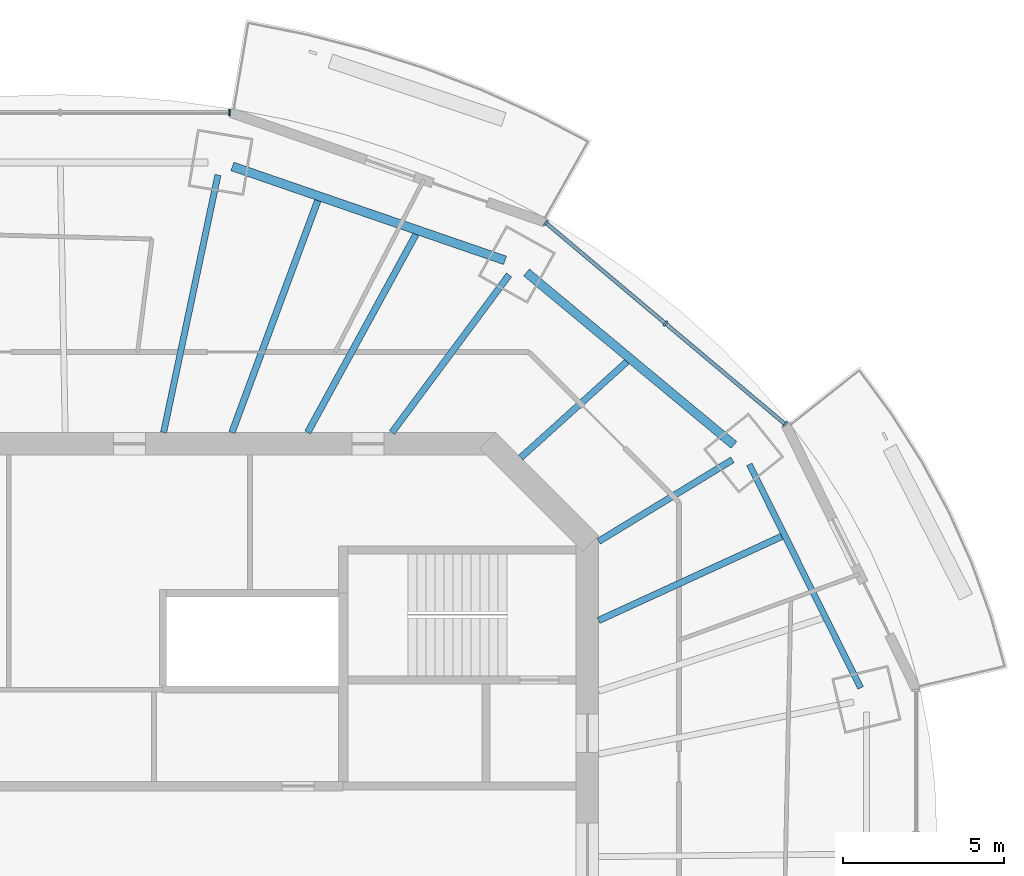
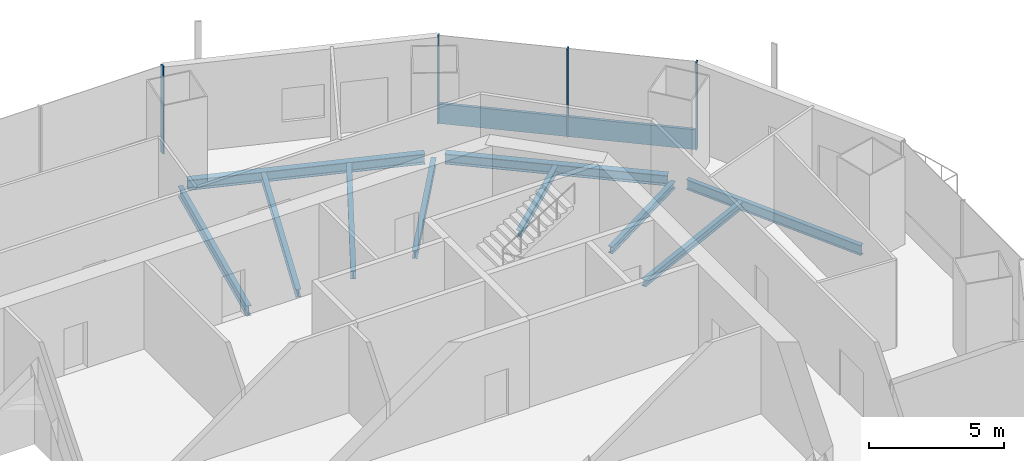
# One storey, part 6 of 16: 10 beams, 5 members, 2 elements without a shape of their own.
"""IFC4 building model written with IfcOpenShell, lengths in metres."""

from ifc_helpers import new_model, si_unit, direction, frame, origin, origin_2d, place, context, subcontext, project, spatial, rectangle, i_section, extrude, material, material_profile, profile_set, type_object, element, aggregate, save


model = new_model("IFC4")

# Units and contexts
model_context = context("Model", 3, precision=1e-05, world=origin(), true_north=direction((0.0, 1.0)))
body_context = subcontext(model_context, "Body", "Model", "MODEL_VIEW")
ifc_project = project(units=[si_unit("LENGTHUNIT", "METRE"), si_unit("AREAUNIT", "SQUARE_METRE"), si_unit("VOLUMEUNIT", "CUBIC_METRE"), si_unit("PLANEANGLEUNIT", "RADIAN"), si_unit("MASSUNIT", "GRAM", prefix="KILO")], contexts=[model_context])

# Site, building, storey
site_placement = place(None, origin())
site = spatial("IfcSite", under=ifc_project, at=site_placement, CompositionType="ELEMENT")
building_placement = place(site_placement, origin())
building = spatial("IfcBuilding", under=site, at=building_placement, Name="Marenthal Gate Tower", CompositionType="ELEMENT")
storey_placement = place(building_placement, frame((0.0, 0.0, 338.449951171875)))
storey = spatial("IfcBuildingStorey", under=building, at=storey_placement, Name="L76", CompositionType="ELEMENT", Elevation=338.449951171875)

# Curtain wall, members
ifc_material_1 = material(Name="Aluminium and glass", Category="aluminium")
curtain_wall_type = type_object("IfcCurtainWallType", Name="Curtain wall typical high", PredefinedType="NOTDEFINED", material=ifc_material_1)
curtain_wall_1_placement = place(storey_placement, origin())
curtain_wall_1 = element("IfcCurtainWall", 1, at=curtain_wall_1_placement, inside=storey, type_object=curtain_wall_type, Name="Curtain wall L76 bay 2", PredefinedType="NOTDEFINED")
ifc_material_2 = material(Name="Aluminium", Category="aluminium")
ifc_material_profile_1 = material_profile(ifc_material_2, rectangle(XDim=0.199951171875, YDim=0.06005859375, at=origin_2d()), Name="60x200 aluminium mullion")
ifc_profile_set_1 = profile_set([ifc_material_profile_1], Name="Aluminium")
member_type_1 = type_object("IfcMemberType", Name="Mullion 60x200 typical high", PredefinedType="MULLION", material=ifc_profile_set_1)
member_1_placement = place(storey_placement, frame((22.150634765625, 13.609619140625, 0.0), z_axis=(0.0, 0.0, 1.0), x_axis=(-0.643800653639, -0.765193255572, 0.0)))
member_1 = element("IfcMember", 2, at=member_1_placement, type_object=member_type_1, Name="Mullion L76 bay 2.1", PredefinedType="MULLION", context=body_context, shape_type="SweptSolid", body=[
    extrude(rectangle(XDim=0.199951171875, YDim=0.06005859375, at=origin_2d()), origin(), (0.0, 0.0, 1.0), 3.969970703125),
])
member_2_placement = place(storey_placement, frame((18.428466796875, 16.7412109375, 0.0), z_axis=(0.0, 0.0, 1.0), x_axis=(-0.643800653639, -0.765193255572, 0.0)))
member_2 = element("IfcMember", 3, at=member_2_placement, type_object=member_type_1, Name="Mullion L76 bay 2.2", PredefinedType="MULLION", context=body_context, shape_type="SweptSolid", body=[
    extrude(rectangle(XDim=0.199951171875, YDim=0.06005859375, at=origin_2d()), origin(), (0.0, 0.0, 1.0), 3.969970703125),
])
member_3_placement = place(storey_placement, frame((14.7060546875, 19.873046875, 0.0), z_axis=(0.0, 0.0, 1.0), x_axis=(-0.643800653639, -0.765193255572, 0.0)))
member_3 = element("IfcMember", 4, at=member_3_placement, type_object=member_type_1, Name="Mullion L76 bay 2.3", PredefinedType="MULLION", context=body_context, shape_type="SweptSolid", body=[
    extrude(rectangle(XDim=0.199951171875, YDim=0.06005859375, at=origin_2d()), origin(), (0.0, 0.0, 1.0), 3.969970703125),
])

# Curtain wall, member
curtain_wall_2_placement = place(storey_placement, origin())
curtain_wall_2 = element("IfcCurtainWall", 5, at=curtain_wall_2_placement, inside=storey, type_object=curtain_wall_type, Name="Curtain wall L76 bay 4", PredefinedType="NOTDEFINED")
member_4_placement = place(storey_placement, frame((4.866455078125, 23.302978515625, 0.0), z_axis=(0.0, 0.0, 1.0), x_axis=(0.0, -1.0, 0.0)))
member_4 = element("IfcMember", 6, at=member_4_placement, type_object=member_type_1, Name="Mullion L76 bay 4.1", PredefinedType="MULLION", context=body_context, shape_type="SweptSolid", body=[
    extrude(rectangle(XDim=0.199951171875, YDim=0.06005859375, at=origin_2d()), origin(), (0.0, 0.0, 1.0), 3.969970703125),
])
aggregate(curtain_wall_2, [member_4])

# Member
ifc_material_3 = material(Name="Aluminium", Category="aluminium")
ifc_material_profile_2 = material_profile(ifc_material_3, rectangle(XDim=0.1201171875, YDim=0.89990234375, at=origin_2d()), Name="120x900 aluminium transom")
ifc_profile_set_2 = profile_set([ifc_material_profile_2], Name="Aluminium")
member_type_2 = type_object("IfcMemberType", Name="Transom 120x900 typical high", PredefinedType="USERDEFINED", material=ifc_profile_set_2)
member_5_placement = place(storey_placement, frame((22.127685546875, 13.62890625, 0.449951171875), z_axis=(-0.765197260539, 0.643795893482, 0.0), x_axis=(-0.643795893482, -0.765197260539, 0.0)))
member_5 = element("IfcMember", 7, at=member_5_placement, type_object=member_type_2, Name="Transom L76 bay 2", ObjectType="TRANSOM", PredefinedType="USERDEFINED", context=body_context, shape_type="SweptSolid", body=[
    extrude(rectangle(XDim=0.1201171875, YDim=0.89990234375, at=origin_2d()), origin(), (0.0, 0.0, 1.0), 9.6689453125),
])

aggregate(curtain_wall_1, [member_1, member_2, member_3, member_5])

# Beams
ifc_material_4 = material(Name="Steel S355", Category="steel")
ifc_material_profile_3 = material_profile(ifc_material_4, i_section(OverallWidth=0.202880859375, OverallDepth=0.302001953125, WebThickness=0.007568359375, FlangeThickness=0.01318359375, FilletRadius=0.0126953125, at=origin_2d()), Name="W310X60")
ifc_profile_set_3 = profile_set([ifc_material_profile_3], Name="Steel S355")
beam_type_1 = type_object("IfcBeamType", Name="W310X60 beam", PredefinedType="BEAM", material=ifc_profile_set_3)
beam_1_placement = place(storey_placement, frame((17.22802734375, 15.55126953125, -0.3310546875), z_axis=(-0.742289268299, -0.670079578982, 0.0), x_axis=(0.670079578982, -0.742289268299, 0.0)))
element("IfcBeam", 8, at=beam_1_placement, inside=storey, type_object=beam_type_1, Name="BM-L76-19", PredefinedType="BEAM", context=body_context, shape_type="SweptSolid", body=[
    extrude(i_section(OverallWidth=0.202880859375, OverallDepth=0.302001953125, WebThickness=0.007568359375, FlangeThickness=0.01318359375, FilletRadius=0.0126953125, at=origin_2d()), origin(), (0.0, 0.0, 1.0), 4.449462890625),
])
ifc_material_5 = material(Name="Steel S355", Category="steel")
ifc_material_profile_4 = material_profile(ifc_material_5, i_section(OverallWidth=0.205078125, OverallDepth=0.31005859375, WebThickness=0.009521484375, FlangeThickness=0.016357421875, FilletRadius=0.0126953125, at=origin_2d()), Name="W310X74")
ifc_profile_set_4 = profile_set([ifc_material_profile_4], Name="Steel S355")
beam_type_2 = type_object("IfcBeamType", Name="W310X74 beam", PredefinedType="BEAM", material=ifc_profile_set_4)
beam_2_placement = place(storey_placement, frame((20.51171875, 12.50048828125, -0.3349609375), z_axis=(-0.853905317144, -0.520428390227, 0.0), x_axis=(0.520428390227, -0.853905317144, 0.0)))
element("IfcBeam", 9, at=beam_2_placement, inside=storey, type_object=beam_type_2, Name="BM-L76-02", PredefinedType="BEAM", context=body_context, shape_type="SweptSolid", body=[
    extrude(i_section(OverallWidth=0.205078125, OverallDepth=0.31005859375, WebThickness=0.009521484375, FlangeThickness=0.016357421875, FilletRadius=0.0126953125, at=origin_2d()), origin(), (0.0, 0.0, 1.0), 4.87353515625),
])
beam_3_placement = place(storey_placement, frame((22.045654296875, 10.117919921875, -0.3349609375), z_axis=(-0.908850126175, -0.417122821422, 0.0), x_axis=(0.417122821422, -0.908850126175, 0.0)))
element("IfcBeam", 10, at=beam_3_placement, inside=storey, type_object=beam_type_2, Name="BM-L76-18", PredefinedType="BEAM", context=body_context, shape_type="SweptSolid", body=[
    extrude(i_section(OverallWidth=0.205078125, OverallDepth=0.31005859375, WebThickness=0.009521484375, FlangeThickness=0.016357421875, FilletRadius=0.0126953125, at=origin_2d()), origin(), (0.0, 0.0, 1.0), 6.266845703125),
])
ifc_material_6 = material(Name="Steel S355", Category="steel")
ifc_material_profile_5 = material_profile(ifc_material_6, i_section(OverallWidth=0.205078125, OverallDepth=0.35302734375, WebThickness=0.009521484375, FlangeThickness=0.016845703125, FilletRadius=0.014892578125, at=origin_2d()), Name="W360X79")
ifc_profile_set_5 = profile_set([ifc_material_profile_5], Name="Steel S355")
beam_type_3 = type_object("IfcBeamType", Name="W360X79 beam", PredefinedType="BEAM", material=ifc_profile_set_5)
beam_4_placement = place(storey_placement, frame((13.56201171875, 18.251220703125, -0.3564453125), z_axis=(-0.596430737358, -0.802664547326, 0.0), x_axis=(0.802664547326, -0.596430737358, 0.0)))
element("IfcBeam", 11, at=beam_4_placement, inside=storey, type_object=beam_type_3, Name="BM-L76-03", PredefinedType="BEAM", context=body_context, shape_type="SweptSolid", body=[
    extrude(i_section(OverallWidth=0.205078125, OverallDepth=0.35302734375, WebThickness=0.009521484375, FlangeThickness=0.016845703125, FilletRadius=0.014892578125, at=origin_2d()), origin(), (0.0, 0.0, 1.0), 6.10595703125),
])
beam_5_placement = place(storey_placement, frame((10.665283203125, 19.5126953125, -0.3564453125), z_axis=(-0.479645925234, -0.877462128189, 0.0), x_axis=(0.877462128189, -0.479645925234, 0.0)))
element("IfcBeam", 12, at=beam_5_placement, inside=storey, type_object=beam_type_3, Name="BM-L76-20", PredefinedType="BEAM", context=body_context, shape_type="SweptSolid", body=[
    extrude(i_section(OverallWidth=0.205078125, OverallDepth=0.35302734375, WebThickness=0.009521484375, FlangeThickness=0.016845703125, FilletRadius=0.014892578125, at=origin_2d()), origin(), (0.0, 0.0, 1.0), 7.023193359375),
])
beam_6_placement = place(storey_placement, frame((7.6123046875, 20.564453125, -0.3564453125), z_axis=(-0.347162407935, -0.937805023721, 0.0), x_axis=(0.937805023721, -0.347162407935, 0.0)))
element("IfcBeam", 13, at=beam_6_placement, inside=storey, type_object=beam_type_3, Name="BM-L76-21", PredefinedType="BEAM", context=body_context, shape_type="SweptSolid", body=[
    extrude(i_section(OverallWidth=0.205078125, OverallDepth=0.35302734375, WebThickness=0.009521484375, FlangeThickness=0.016845703125, FilletRadius=0.014892578125, at=origin_2d()), origin(), (0.0, 0.0, 1.0), 7.69287109375),
])
ifc_material_7 = material(Name="Steel S355", Category="steel")
ifc_material_profile_6 = material_profile(ifc_material_7, i_section(OverallWidth=0.279052734375, OverallDepth=0.4619140625, WebThickness=0.0107421875, FlangeThickness=0.017333984375, FilletRadius=0.010009765625, at=origin_2d()), Name="W460X113")
ifc_profile_set_6 = profile_set([ifc_material_profile_6], Name="Steel S355")
beam_type_4 = type_object("IfcBeamType", Name="W460X113 beam", PredefinedType="BEAM", material=ifc_profile_set_6)
beam_7_placement = place(storey_placement, frame((20.5576171875, 12.963623046875, -0.410888671875), z_axis=(-0.768871924269, 0.639402818317, 0.0), x_axis=(-0.639402818317, -0.768871924269, 0.0)))
element("IfcBeam", 14, at=beam_7_placement, inside=storey, type_object=beam_type_4, Name="BM-L76-42", PredefinedType="BEAM", context=body_context, shape_type="SweptSolid", body=[
    extrude(i_section(OverallWidth=0.279052734375, OverallDepth=0.4619140625, WebThickness=0.0107421875, FlangeThickness=0.017333984375, FilletRadius=0.010009765625, at=origin_2d()), origin(), (0.0, 0.0, 1.0), 8.391357421875),
])
beam_8_placement = place(storey_placement, frame((13.43798828125, 18.705322265625, -0.410888671875), z_axis=(-0.945490896915, 0.325648528096, 0.0), x_axis=(-0.325648528096, -0.945490896915, 0.0)))
element("IfcBeam", 15, at=beam_8_placement, inside=storey, type_object=beam_type_4, Name="BM-L76-43", PredefinedType="BEAM", context=body_context, shape_type="SweptSolid", body=[
    extrude(i_section(OverallWidth=0.279052734375, OverallDepth=0.4619140625, WebThickness=0.0107421875, FlangeThickness=0.017333984375, FilletRadius=0.010009765625, at=origin_2d()), origin(), (0.0, 0.0, 1.0), 8.972412109375),
])
ifc_material_8 = material(Name="Steel S355", Category="steel")
ifc_material_profile_7 = material_profile(ifc_material_8, i_section(OverallWidth=0.19091796875, OverallDepth=0.45703125, WebThickness=0.009033203125, FlangeThickness=0.014404296875, FilletRadius=0.01025390625, at=origin_2d()), Name="W460X74")
ifc_profile_set_7 = profile_set([ifc_material_profile_7], Name="Steel S355")
beam_type_5 = type_object("IfcBeamType", Name="W460X74 beam", PredefinedType="BEAM", material=ifc_profile_set_7)
beam_9_placement = place(storey_placement, frame((24.500244140625, 5.404296875, -0.408447265625), z_axis=(-0.445880705054, 0.895092395712, 0.0), x_axis=(-0.895092395712, -0.445880705054, 0.0)))
element("IfcBeam", 16, at=beam_9_placement, inside=storey, type_object=beam_type_5, Name="BM-L76-41", PredefinedType="BEAM", context=body_context, shape_type="SweptSolid", body=[
    extrude(i_section(OverallWidth=0.19091796875, OverallDepth=0.45703125, WebThickness=0.009033203125, FlangeThickness=0.014404296875, FilletRadius=0.01025390625, at=origin_2d()), origin(), (0.0, 0.0, 1.0), 7.76904296875),
])
ifc_material_9 = material(Name="Steel S355", Category="steel")
ifc_material_profile_8 = material_profile(ifc_material_9, i_section(OverallWidth=0.193115234375, OverallDepth=0.467041015625, WebThickness=0.011474609375, FlangeThickness=0.01904296875, FilletRadius=0.010009765625, at=origin_2d()), Name="W460X97")
ifc_profile_set_8 = profile_set([ifc_material_profile_8], Name="Steel S355")
beam_type_6 = type_object("IfcBeamType", Name="W460X97 beam", PredefinedType="BEAM", material=ifc_profile_set_8)
beam_10_placement = place(storey_placement, frame((4.505615234375, 21.361083984375, -0.413330078125), z_axis=(-0.206381669226, -0.978471566581, 0.0), x_axis=(0.978471566581, -0.206381669226, 0.0)))
element("IfcBeam", 17, at=beam_10_placement, inside=storey, type_object=beam_type_6, Name="BM-L76-04", PredefinedType="BEAM", context=body_context, shape_type="SweptSolid", body=[
    extrude(i_section(OverallWidth=0.193115234375, OverallDepth=0.467041015625, WebThickness=0.011474609375, FlangeThickness=0.01904296875, FilletRadius=0.010009765625, at=origin_2d()), origin(), (0.0, 0.0, 1.0), 8.187255859375),
])

save(model, "model.ifc")
